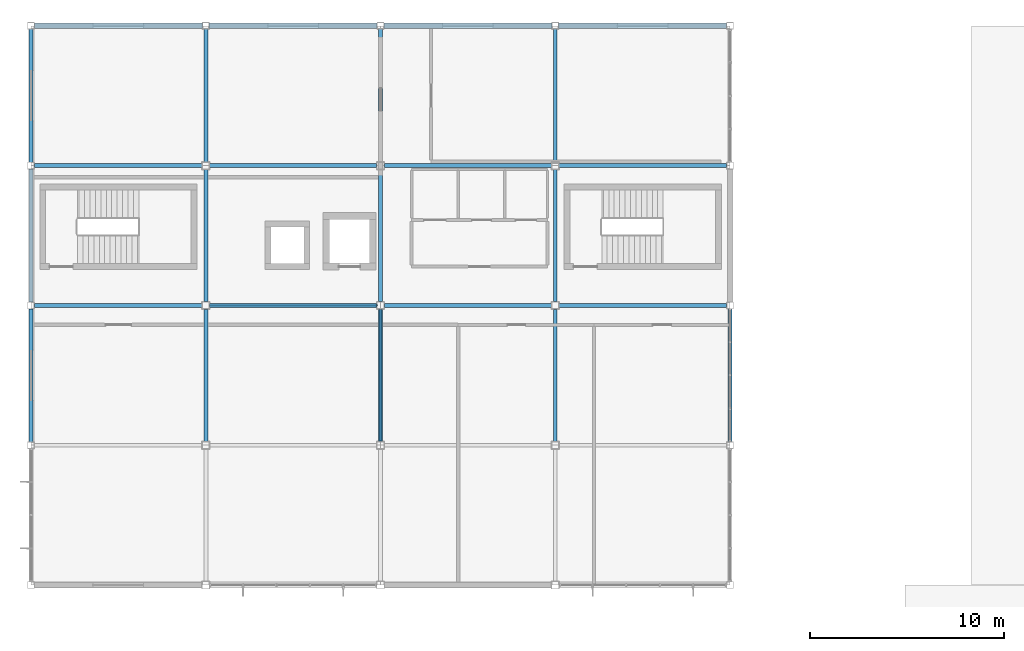
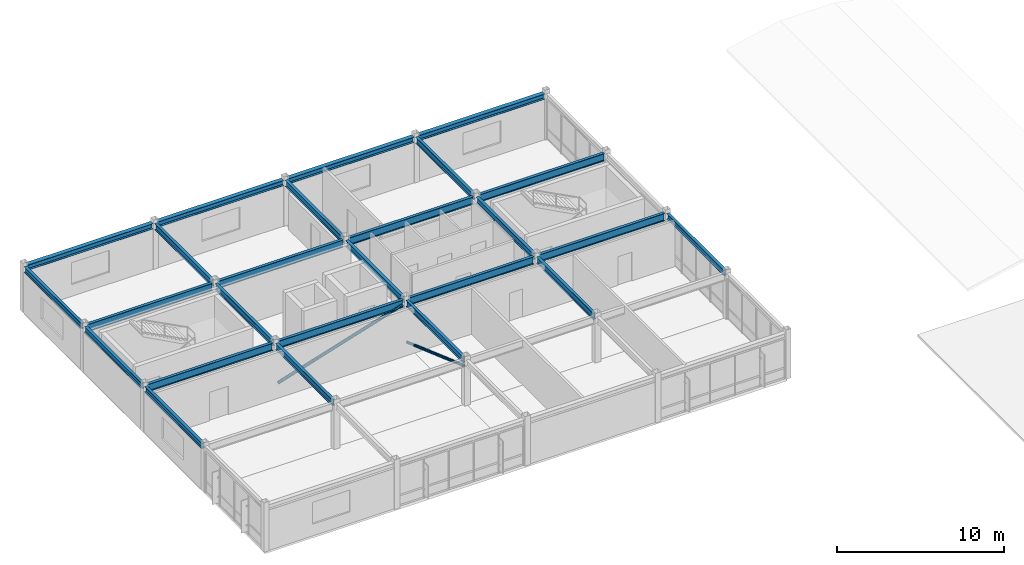
# One storey, part 11 of 34: 25 beams, 2 members.
"""IFC4 building model written with IfcOpenShell, lengths in metres."""

from ifc_helpers import new_model, si_unit, direction, frame, origin, origin_2d, place, context, subcontext, project, spatial, hollow_circle, i_section, extrude, material, material_profile, profile_set, type_object, element, save


model = new_model("IFC4")

# Units and contexts
model_context = context("Model", 3, precision=1e-05, world=origin(), true_north=direction((0.0, 1.0)))
body_context = subcontext(model_context, "Body", "Model", "MODEL_VIEW")
ifc_project = project(units=[si_unit("LENGTHUNIT", "METRE"), si_unit("AREAUNIT", "SQUARE_METRE"), si_unit("VOLUMEUNIT", "CUBIC_METRE"), si_unit("PLANEANGLEUNIT", "RADIAN"), si_unit("MASSUNIT", "GRAM", prefix="KILO")], contexts=[model_context])

# Site, building, storey
site_placement = place(None, origin())
site = spatial("IfcSite", under=ifc_project, at=site_placement, CompositionType="ELEMENT")
building_placement = place(site_placement, origin())
building = spatial("IfcBuilding", under=site, at=building_placement, Name="Kazanami Central Library", CompositionType="ELEMENT")
storey_placement = place(building_placement, frame((0.0, 0.0, 17.0)))
storey = spatial("IfcBuildingStorey", under=building, at=storey_placement, Name="L05", CompositionType="ELEMENT", Elevation=17.0)

# Beams
ifc_material_1 = material(Name="Steel SN490B (325 MPa)", Category="steel")
ifc_material_profile_1 = material_profile(ifc_material_1, i_section(OverallWidth=0.199951171875, OverallDepth=0.550048828125, WebThickness=0.010009765625, FlangeThickness=0.01611328125, at=origin_2d()), Name="H-550x200x10x16")
ifc_profile_set_1 = profile_set([ifc_material_profile_1], Name="Steel SN490B (325 MPa)")
beam_type_1 = type_object("IfcBeamType", Name="BM-G-X3", PredefinedType="BEAM", material=ifc_profile_set_1)
beam_1_placement = place(storey_placement, frame((0.173095703125, 79.199951171875, 3.06494140625), z_axis=(1.0, 0.0, 0.0), x_axis=(0.0, 1.0, 0.0)))
element("IfcBeam", 1, at=beam_1_placement, inside=storey, type_object=beam_type_1, Name="Girder G-X3 L05 M/1-2", PredefinedType="BEAM", context=body_context, shape_type="SweptSolid", body=[
    extrude(i_section(OverallWidth=0.199951171875, OverallDepth=0.550048828125, WebThickness=0.010009765625, FlangeThickness=0.01611328125, at=origin_2d()), origin(), (0.0, 0.0, 1.0), 8.62890625),
])
for number, where, z_axis, x_axis, name in (
    (2, (9.197998046875, 79.199951171875, 3.06494140625), (1.0, 0.0, 0.0), (0.0, 1.0, 0.0), "Girder G-X3 L05 M/2-3"),
    (3, (18.197998046875, 79.199951171875, 3.06494140625), (1.0, 0.0, 0.0), (0.0, 1.0, 0.0), "Girder G-X3 L05 M/3-4"),
):
    element("IfcBeam", number, at=place(storey_placement, frame(where, z_axis=z_axis, x_axis=x_axis)), inside=storey, type_object=beam_type_1, Name=name, PredefinedType="BEAM", context=body_context, shape_type="SweptSolid", body=[
        extrude(i_section(OverallWidth=0.199951171875, OverallDepth=0.550048828125, WebThickness=0.010009765625, FlangeThickness=0.01611328125, at=origin_2d()), origin(), (0.0, 0.0, 1.0), 8.60400390625),
    ])
for number, where, z_axis, x_axis, name in (
    (4, (27.197998046875, 79.199951171875, 3.06494140625), (1.0, 0.0, 0.0), (0.0, 1.0, 0.0), "Girder G-X3 L05 M/4-5"),
    (5, (0.173095703125, 86.39990234375, 3.06494140625), (1.0, 0.0, 0.0), (0.0, 1.0, 0.0), "Girder G-X3 L05 N/1-2"),
):
    element("IfcBeam", number, at=place(storey_placement, frame(where, z_axis=z_axis, x_axis=x_axis)), inside=storey, type_object=beam_type_1, Name=name, PredefinedType="BEAM", context=body_context, shape_type="SweptSolid", body=[
        extrude(i_section(OverallWidth=0.199951171875, OverallDepth=0.550048828125, WebThickness=0.010009765625, FlangeThickness=0.01611328125, at=origin_2d()), origin(), (0.0, 0.0, 1.0), 8.62890625),
    ])
for number, where, z_axis, x_axis, name in (
    (6, (9.197998046875, 86.39990234375, 3.06494140625), (1.0, 0.0, 0.0), (0.0, 1.0, 0.0), "Girder G-X3 L05 N/2-3"),
    (7, (18.197998046875, 86.39990234375, 3.06494140625), (1.0, 0.0, 0.0), (0.0, 1.0, 0.0), "Girder G-X3 L05 N/3-4"),
):
    element("IfcBeam", number, at=place(storey_placement, frame(where, z_axis=z_axis, x_axis=x_axis)), inside=storey, type_object=beam_type_1, Name=name, PredefinedType="BEAM", context=body_context, shape_type="SweptSolid", body=[
        extrude(i_section(OverallWidth=0.199951171875, OverallDepth=0.550048828125, WebThickness=0.010009765625, FlangeThickness=0.01611328125, at=origin_2d()), origin(), (0.0, 0.0, 1.0), 8.60400390625),
    ])
beam_2_placement = place(storey_placement, frame((27.197998046875, 86.39990234375, 3.06494140625), z_axis=(1.0, 0.0, 0.0), x_axis=(0.0, 1.0, 0.0)))
element("IfcBeam", 8, at=beam_2_placement, inside=storey, type_object=beam_type_1, Name="Girder G-X3 L05 N/4-5", PredefinedType="BEAM", context=body_context, shape_type="SweptSolid", body=[
    extrude(i_section(OverallWidth=0.199951171875, OverallDepth=0.550048828125, WebThickness=0.010009765625, FlangeThickness=0.01611328125, at=origin_2d()), origin(), (0.0, 0.0, 1.0), 8.62890625),
])
ifc_material_profile_2 = material_profile(ifc_material_1, i_section(OverallWidth=0.199951171875, OverallDepth=0.449951171875, WebThickness=0.009033203125, FlangeThickness=0.013916015625, at=origin_2d()), Name="H-450x200x9x14")
ifc_profile_set_2 = profile_set([ifc_material_profile_2], Name="Steel SN490B (325 MPa)")
beam_type_2 = type_object("IfcBeamType", Name="BM-G-Y3", PredefinedType="BEAM", material=ifc_profile_set_2)
for number, where, z_axis, x_axis, name in (
    (9, (9.0, 72.197998046875, 3.114990234375), (0.0, 1.0, 0.0), (-1.0, 0.0, 0.0), "Girder G-Y3 L05 2/L-M"),
    (10, (9.0, 79.39794921875, 3.114990234375), (0.0, 1.0, 0.0), (-1.0, 0.0, 0.0), "Girder G-Y3 L05 2/M-N"),
):
    element("IfcBeam", number, at=place(storey_placement, frame(where, z_axis=z_axis, x_axis=x_axis)), inside=storey, type_object=beam_type_2, Name=name, PredefinedType="BEAM", context=body_context, shape_type="SweptSolid", body=[
        extrude(i_section(OverallWidth=0.199951171875, OverallDepth=0.449951171875, WebThickness=0.009033203125, FlangeThickness=0.013916015625, at=origin_2d()), origin(), (0.0, 0.0, 1.0), 6.803955078125),
    ])
beam_3_placement = place(storey_placement, frame((9.0, 86.597900390625, 3.114990234375), z_axis=(0.0, 1.0, 0.0), x_axis=(-1.0, 0.0, 0.0)))
element("IfcBeam", 11, at=beam_3_placement, inside=storey, type_object=beam_type_2, Name="Girder G-Y3 L05 2/N-O", PredefinedType="BEAM", context=body_context, shape_type="SweptSolid", body=[
    extrude(i_section(OverallWidth=0.199951171875, OverallDepth=0.449951171875, WebThickness=0.009033203125, FlangeThickness=0.013916015625, at=origin_2d()), origin(), (0.0, 0.0, 1.0), 6.8291015625),
])
for number, where, z_axis, x_axis, name in (
    (12, (18.0, 72.197998046875, 3.114990234375), (0.0, 1.0, 0.0), (-1.0, 0.0, 0.0), "Girder G-Y3 L05 3/L-M"),
    (13, (18.0, 79.39794921875, 3.114990234375), (0.0, 1.0, 0.0), (-1.0, 0.0, 0.0), "Girder G-Y3 L05 3/M-N"),
):
    element("IfcBeam", number, at=place(storey_placement, frame(where, z_axis=z_axis, x_axis=x_axis)), inside=storey, type_object=beam_type_2, Name=name, PredefinedType="BEAM", context=body_context, shape_type="SweptSolid", body=[
        extrude(i_section(OverallWidth=0.199951171875, OverallDepth=0.449951171875, WebThickness=0.009033203125, FlangeThickness=0.013916015625, at=origin_2d()), origin(), (0.0, 0.0, 1.0), 6.803955078125),
    ])
beam_4_placement = place(storey_placement, frame((18.0, 86.597900390625, 3.114990234375), z_axis=(0.0, 1.0, 0.0), x_axis=(-1.0, 0.0, 0.0)))
element("IfcBeam", 14, at=beam_4_placement, inside=storey, type_object=beam_type_2, Name="Girder G-Y3 L05 3/N-O", PredefinedType="BEAM", context=body_context, shape_type="SweptSolid", body=[
    extrude(i_section(OverallWidth=0.199951171875, OverallDepth=0.449951171875, WebThickness=0.009033203125, FlangeThickness=0.013916015625, at=origin_2d()), origin(), (0.0, 0.0, 1.0), 6.8291015625),
])
for number, where, z_axis, x_axis, name in (
    (15, (27.0, 72.197998046875, 3.114990234375), (0.0, 1.0, 0.0), (-1.0, 0.0, 0.0), "Girder G-Y3 L05 4/L-M"),
    (16, (27.0, 79.39794921875, 3.114990234375), (0.0, 1.0, 0.0), (-1.0, 0.0, 0.0), "Girder G-Y3 L05 4/M-N"),
):
    element("IfcBeam", number, at=place(storey_placement, frame(where, z_axis=z_axis, x_axis=x_axis)), inside=storey, type_object=beam_type_2, Name=name, PredefinedType="BEAM", context=body_context, shape_type="SweptSolid", body=[
        extrude(i_section(OverallWidth=0.199951171875, OverallDepth=0.449951171875, WebThickness=0.009033203125, FlangeThickness=0.013916015625, at=origin_2d()), origin(), (0.0, 0.0, 1.0), 6.803955078125),
    ])
beam_5_placement = place(storey_placement, frame((27.0, 86.597900390625, 3.114990234375), z_axis=(0.0, 1.0, 0.0), x_axis=(-1.0, 0.0, 0.0)))
element("IfcBeam", 17, at=beam_5_placement, inside=storey, type_object=beam_type_2, Name="Girder G-Y3 L05 4/N-O", PredefinedType="BEAM", context=body_context, shape_type="SweptSolid", body=[
    extrude(i_section(OverallWidth=0.199951171875, OverallDepth=0.449951171875, WebThickness=0.009033203125, FlangeThickness=0.013916015625, at=origin_2d()), origin(), (0.0, 0.0, 1.0), 6.8291015625),
])
ifc_material_profile_3 = material_profile(ifc_material_1, i_section(OverallWidth=0.199951171875, OverallDepth=0.39990234375, WebThickness=0.008056640625, FlangeThickness=0.012939453125, at=origin_2d()), Name="H-400x200x8x13")
ifc_profile_set_3 = profile_set([ifc_material_profile_3], Name="Steel SN490B (325 MPa)")
beam_type_3 = type_object("IfcBeamType", Name="BM-SP-3", PredefinedType="SPANDREL", material=ifc_profile_set_3)
for number, where, z_axis, x_axis, name in (
    (18, (0.0, 72.173095703125, 3.139892578125), (0.0, 1.0, 0.0), (-1.0, 0.0, 0.0), "Girder SP-3 L05 1/L-M"),
    (19, (0.0, 79.373046875, 3.139892578125), (0.0, 1.0, 0.0), (-1.0, 0.0, 0.0), "Girder SP-3 L05 1/M-N"),
    (20, (0.0, 86.572998046875, 3.139892578125), (0.0, 1.0, 0.0), (-1.0, 0.0, 0.0), "Girder SP-3 L05 1/N-O"),
    (21, (36.0, 72.173095703125, 3.139892578125), (0.0, 1.0, 0.0), (-1.0, 0.0, 0.0), "Girder SP-3 L05 5/L-M"),
):
    element("IfcBeam", number, at=place(storey_placement, frame(where, z_axis=z_axis, x_axis=x_axis)), inside=storey, type_object=beam_type_3, Name=name, PredefinedType="SPANDREL", context=body_context, shape_type="SweptSolid", body=[
        extrude(i_section(OverallWidth=0.199951171875, OverallDepth=0.39990234375, WebThickness=0.008056640625, FlangeThickness=0.012939453125, at=origin_2d()), origin(), (0.0, 0.0, 1.0), 6.85400390625),
    ])
ifc_material_profile_4 = material_profile(ifc_material_1, i_section(OverallWidth=0.300048828125, OverallDepth=0.389892578125, WebThickness=0.010009765625, FlangeThickness=0.01611328125, at=origin_2d()), Name="H-390x300x10x16")
ifc_profile_set_4 = profile_set([ifc_material_profile_4], Name="Steel SN490B (325 MPa)")
beam_type_4 = type_object("IfcBeamType", Name="BM-SP-4", PredefinedType="SPANDREL", material=ifc_profile_set_4)
for number, where, z_axis, x_axis, name in (
    (22, (0.173095703125, 93.60009765625, 3.14501953125), (1.0, 0.0, 0.0), (0.0, 1.0, 0.0), "Girder SP-4 L05 O/1-2"),
    (23, (9.173095703125, 93.60009765625, 3.14501953125), (1.0, 0.0, 0.0), (0.0, 1.0, 0.0), "Girder SP-4 L05 O/2-3"),
    (24, (18.173095703125, 93.60009765625, 3.14501953125), (1.0, 0.0, 0.0), (0.0, 1.0, 0.0), "Girder SP-4 L05 O/3-4"),
    (25, (27.173095703125, 93.60009765625, 3.14501953125), (1.0, 0.0, 0.0), (0.0, 1.0, 0.0), "Girder SP-4 L05 O/4-5"),
):
    element("IfcBeam", number, at=place(storey_placement, frame(where, z_axis=z_axis, x_axis=x_axis)), inside=storey, type_object=beam_type_4, Name=name, PredefinedType="SPANDREL", context=body_context, shape_type="SweptSolid", body=[
        extrude(i_section(OverallWidth=0.300048828125, OverallDepth=0.389892578125, WebThickness=0.010009765625, FlangeThickness=0.01611328125, at=origin_2d()), origin(), (0.0, 0.0, 1.0), 8.65380859375),
    ])

# Members
ifc_material_2 = material(Name="Steel STK490 (315 MPa)", Category="steel")
ifc_material_profile_5 = material_profile(ifc_material_2, hollow_circle(Radius=0.108154296875, WallThickness=0.00830078125, at=origin_2d()), Name="CHS-216.3x8.2")
ifc_profile_set_5 = profile_set([ifc_material_profile_5], Name="Steel STK490 (315 MPa)")
member_type_1 = type_object("IfcMemberType", Name="MEM-BR-04", PredefinedType="BRACE", material=ifc_profile_set_5)
member_1_placement = place(storey_placement, frame((9.199951171875, 79.199951171875, 0.25), z_axis=(0.954403775924, 0.0, 0.298518730572), x_axis=(0.0, 1.0, 0.0)))
element("IfcMember", 26, at=member_1_placement, inside=storey, type_object=member_type_1, Name="Concentric Steel Brace BR-04 L05 BF-V4A", PredefinedType="BRACE", context=body_context, shape_type="SweptSolid", body=[
    extrude(hollow_circle(Radius=0.108154296875, WallThickness=0.00830078125, at=origin_2d()), origin(), (0.0, 0.0, 1.0), 9.010986328125),
])
ifc_material_profile_6 = material_profile(ifc_material_2, hollow_circle(Radius=0.095458984375, WallThickness=0.007080078125, at=origin_2d()), Name="CHS-190.7x7.0")
ifc_profile_set_6 = profile_set([ifc_material_profile_6], Name="Steel STK490 (315 MPa)")
member_type_2 = type_object("IfcMemberType", Name="MEM-BR-05", PredefinedType="BRACE", material=ifc_profile_set_6)
member_2_placement = place(storey_placement, frame((18.0, 79.0, 0.25), z_axis=(0.0, -0.942559093895, 0.334039450538), x_axis=(1.0, 0.0, 0.0)))
element("IfcMember", 27, at=member_2_placement, inside=storey, type_object=member_type_2, Name="Concentric Steel Brace BR-05 L05 BF-V4B", PredefinedType="BRACE", context=body_context, shape_type="SweptSolid", body=[
    extrude(hollow_circle(Radius=0.095458984375, WallThickness=0.007080078125, at=origin_2d()), origin(), (0.0, 0.0, 1.0), 7.21435546875),
])

save(model, "model.ifc")
